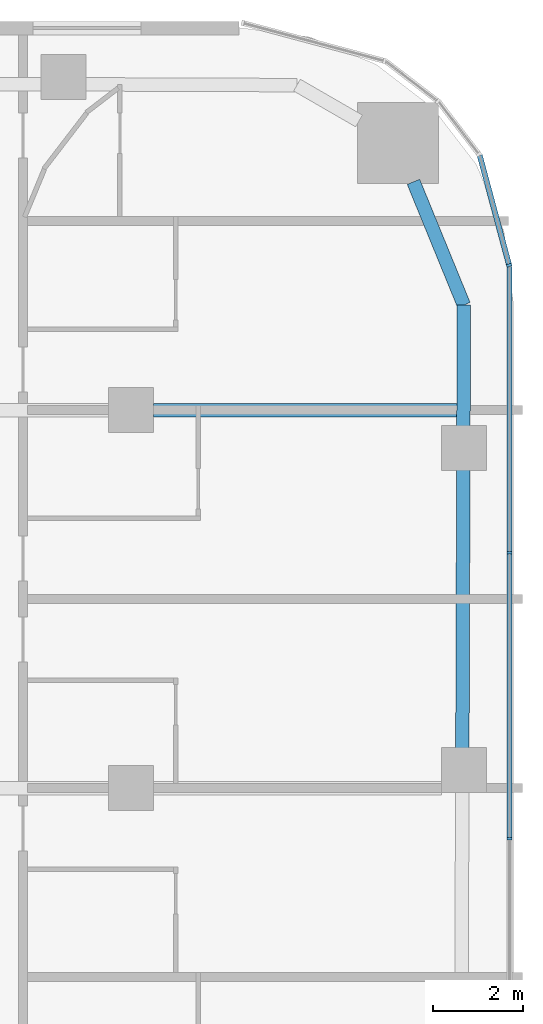
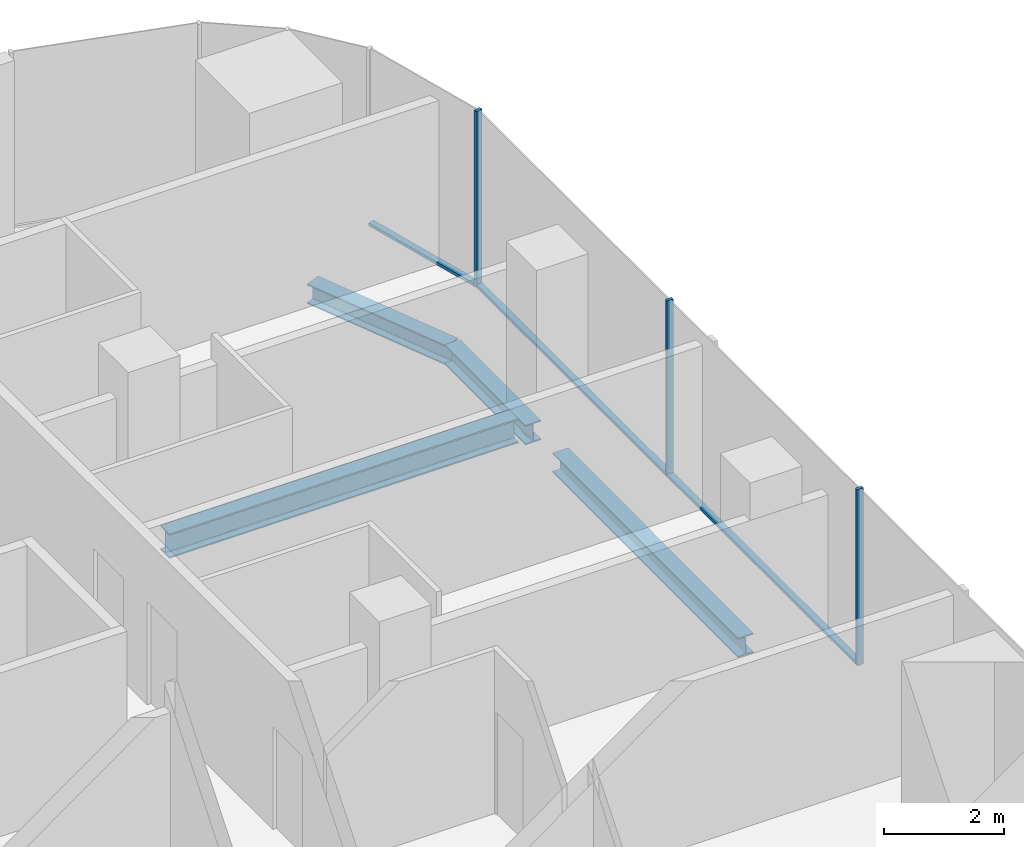
# One storey, part 12 of 25: 6 members, 4 beams, 2 elements without a shape of their own.
"""IFC4 building model written with IfcOpenShell, lengths in metres."""

from ifc_helpers import new_model, si_unit, direction, frame, origin, origin_2d, place, context, subcontext, project, spatial, rectangle, i_section, extrude, material, layer, layer_set, material_profile, profile_set, type_object, element, aggregate, save


model = new_model("IFC4")

# Units and contexts
model_context = context("Model", 3, precision=1e-05, world=origin(), true_north=direction((0.0, 1.0)))
body_context = subcontext(model_context, "Body", "Model", "MODEL_VIEW")
ifc_project = project(units=[si_unit("LENGTHUNIT", "METRE"), si_unit("AREAUNIT", "SQUARE_METRE"), si_unit("VOLUMEUNIT", "CUBIC_METRE"), si_unit("PLANEANGLEUNIT", "RADIAN"), si_unit("MASSUNIT", "GRAM", prefix="KILO")], contexts=[model_context])

# Site, building, storey
site_placement = place(None, origin())
site = spatial("IfcSite", under=ifc_project, at=site_placement, CompositionType="ELEMENT")
building_placement = place(site_placement, origin())
building = spatial("IfcBuilding", under=site, at=building_placement, Name="Marenta Gate Hotel Tower", CompositionType="ELEMENT")
storey_placement = place(building_placement, frame((0.0, 0.0, 50.89990234375)))
storey = spatial("IfcBuildingStorey", under=building, at=storey_placement, Name="L10", CompositionType="ELEMENT", Elevation=50.89990234375)

# Beams
ifc_material_1 = material(Name="Steel S355", Category="steel")
ifc_material_profile_1 = material_profile(ifc_material_1, i_section(OverallWidth=0.300048828125, OverallDepth=0.39990234375, WebThickness=0.013427734375, FlangeThickness=0.02392578125, FilletRadius=0.027099609375, at=origin_2d()), Name="HEB 400")
ifc_profile_set_1 = profile_set([ifc_material_profile_1], Name="Steel S355")
beam_type_1 = type_object("IfcBeamType", Name="Edge beam HEB 400", PredefinedType="SPANDREL", material=ifc_profile_set_1)
beam_1_placement = place(storey_placement, frame((27.280029296875, 30.2724609375, -0.4599609375), z_axis=(0.378565359962, -0.925574561144, 0.0), x_axis=(0.925574561144, 0.378565359962, 0.0)))
element("IfcBeam", 1, at=beam_1_placement, inside=storey, type_object=beam_type_1, Name="L10-EB-21", PredefinedType="SPANDREL", context=body_context, shape_type="SweptSolid", body=[
    extrude(i_section(OverallWidth=0.300048828125, OverallDepth=0.39990234375, WebThickness=0.013427734375, FlangeThickness=0.02392578125, FilletRadius=0.027099609375, at=origin_2d()), origin(), (0.0, 0.0, 1.0), 2.958251953125),
])
beam_2_placement = place(storey_placement, frame((28.39990234375, 27.534423828125, -0.4599609375), z_axis=(-0.003323434444, -0.999994477376, 0.0), x_axis=(0.999994477376, -0.003323434444, 0.0)))
element("IfcBeam", 2, at=beam_2_placement, inside=storey, type_object=beam_type_1, Name="L10-EB-22", PredefinedType="SPANDREL", context=body_context, shape_type="SweptSolid", body=[
    extrude(i_section(OverallWidth=0.300048828125, OverallDepth=0.39990234375, WebThickness=0.013427734375, FlangeThickness=0.02392578125, FilletRadius=0.027099609375, at=origin_2d()), origin(), (0.0, 0.0, 1.0), 2.718017578125),
])
beam_3_placement = place(storey_placement, frame((28.387939453125, 23.896484375, -0.4599609375), z_axis=(-0.003329137121, -0.999994458408, 0.0), x_axis=(0.999994458408, -0.003329137121, 0.0)))
element("IfcBeam", 3, at=beam_3_placement, inside=storey, type_object=beam_type_1, Name="L10-EB-23", PredefinedType="SPANDREL", context=body_context, shape_type="SweptSolid", body=[
    extrude(i_section(OverallWidth=0.300048828125, OverallDepth=0.39990234375, WebThickness=0.013427734375, FlangeThickness=0.02392578125, FilletRadius=0.027099609375, at=origin_2d()), origin(), (0.0, 0.0, 1.0), 6.2333984375),
])
ifc_material_2 = material(Name="Steel S355", Category="steel")
ifc_material_profile_2 = material_profile(ifc_material_2, i_section(OverallWidth=0.300048828125, OverallDepth=0.5, WebThickness=0.014404296875, FlangeThickness=0.028076171875, FilletRadius=0.027099609375, at=origin_2d()), Name="HEB 500")
ifc_profile_set_2 = profile_set([ifc_material_profile_2], Name="Steel S355")
beam_type_2 = type_object("IfcBeamType", Name="Girder HEB 500", PredefinedType="BEAM", material=ifc_profile_set_2)
beam_4_placement = place(storey_placement, frame((21.5, 25.199951171875, -0.510009765625), z_axis=(1.0, 0.0, 0.0), x_axis=(0.0, 1.0, 0.0)))
element("IfcBeam", 4, at=beam_4_placement, inside=storey, type_object=beam_type_2, Name="L10-GD-28", PredefinedType="BEAM", context=body_context, shape_type="SweptSolid", body=[
    extrude(i_section(OverallWidth=0.300048828125, OverallDepth=0.5, WebThickness=0.014404296875, FlangeThickness=0.028076171875, FilletRadius=0.027099609375, at=origin_2d()), origin(), (0.0, 0.0, 1.0), 6.7421875),
])

# Curtain wall, members
ifc_material_3 = material(Name="Tinted insulated glass in bronze anodised frame", Category="glass")
ifc_layer = layer(ifc_material_3, 0.1201171875)
ifc_layer_set = layer_set([ifc_layer], Name="Tinted insulated glass in bronze anodised frame")
curtain_wall_type = type_object("IfcCurtainWallType", Name="Tower unitised curtain wall CW1", PredefinedType="NOTDEFINED", material=ifc_layer_set)
curtain_wall_1_placement = place(storey_placement, origin())
curtain_wall_1 = element("IfcCurtainWall", 5, at=curtain_wall_1_placement, inside=storey, type_object=curtain_wall_type, Name="CW1 run G11", PredefinedType="NOTDEFINED")
ifc_material_4 = material(Name="Bronze anodised aluminium", Category="aluminium")
ifc_material_profile_3 = material_profile(ifc_material_4, rectangle(XDim=0.1201171875, YDim=0.06005859375, at=origin_2d()), Name="Mullion CW1 60x120 bronze anodised aluminium")
ifc_profile_set_3 = profile_set([ifc_material_profile_3], Name="Bronze anodised aluminium")
member_type_1 = type_object("IfcMemberType", Name="Mullion CW1 60x120 bronze anodised aluminium", PredefinedType="MULLION", material=ifc_profile_set_3)
member_1_placement = place(storey_placement, frame((29.4140625, 15.671875, 0.0), z_axis=(0.0, 0.0, 1.0), x_axis=(-1.0, 0.0, 0.0)))
member_1 = element("IfcMember", 6, at=member_1_placement, type_object=member_type_1, Name="CW1 mullion 5", PredefinedType="MULLION", context=body_context, shape_type="SweptSolid", body=[
    extrude(rectangle(XDim=0.1201171875, YDim=0.06005859375, at=origin_2d()), origin(), (0.0, 0.0, 1.0), 3.60009765625),
])
member_2_placement = place(storey_placement, frame((29.4140625, 22.031982421875, 0.0), z_axis=(0.0, 0.0, 1.0), x_axis=(-1.0, 0.0, 0.0)))
member_2 = element("IfcMember", 7, at=member_2_placement, type_object=member_type_1, Name="CW1 mullion 6", PredefinedType="MULLION", context=body_context, shape_type="SweptSolid", body=[
    extrude(rectangle(XDim=0.1201171875, YDim=0.06005859375, at=origin_2d()), origin(), (0.0, 0.0, 1.0), 3.60009765625),
])

# Curtain wall, member
curtain_wall_2_placement = place(storey_placement, origin())
curtain_wall_2 = element("IfcCurtainWall", 8, at=curtain_wall_2_placement, inside=storey, type_object=curtain_wall_type, Name="CW1 run G12", PredefinedType="NOTDEFINED")
member_3_placement = place(storey_placement, frame((29.40625, 28.4208984375, 0.0), z_axis=(0.0, 0.0, 1.0), x_axis=(-0.965925039579, -0.258821981125, 0.0)))
member_3 = element("IfcMember", 9, at=member_3_placement, type_object=member_type_1, Name="CW1 mullion 1", PredefinedType="MULLION", context=body_context, shape_type="SweptSolid", body=[
    extrude(rectangle(XDim=0.1201171875, YDim=0.06005859375, at=origin_2d()), origin(), (0.0, 0.0, 1.0), 3.60009765625),
])

# Member
ifc_material_5 = material(Name="Bronze anodised aluminium", Category="aluminium")
ifc_material_profile_4 = material_profile(ifc_material_5, rectangle(XDim=0.1201171875, YDim=0.06005859375, at=origin_2d()), Name="Transom CW1 60x120 bronze anodised aluminium")
ifc_profile_set_4 = profile_set([ifc_material_profile_4], Name="Bronze anodised aluminium")
member_type_2 = type_object("IfcMemberType", Name="Transom CW1 60x120 bronze anodised aluminium", PredefinedType="USERDEFINED", material=ifc_profile_set_4)
member_4_placement = place(storey_placement, frame((29.4140625, 15.701904296875, 0.030029296875), z_axis=(0.0, 1.0, 0.0), x_axis=(-1.0, 0.0, 0.0)))
member_4 = element("IfcMember", 10, at=member_4_placement, type_object=member_type_2, Name="CW1 transom 5.1", ObjectType="TRANSOM", PredefinedType="USERDEFINED", context=body_context, shape_type="SweptSolid", body=[
    extrude(rectangle(XDim=0.1201171875, YDim=0.06005859375, at=origin_2d()), origin(), (0.0, 0.0, 1.0), 6.300048828125),
])

member_5_placement = place(storey_placement, frame((29.4140625, 22.06201171875, 0.030029296875), z_axis=(0.0, 1.0, 0.0), x_axis=(-1.0, 0.0, 0.0)))
member_5 = element("IfcMember", 11, at=member_5_placement, type_object=member_type_2, Name="CW1 transom 6.1", ObjectType="TRANSOM", PredefinedType="USERDEFINED", context=body_context, shape_type="SweptSolid", body=[
    extrude(rectangle(XDim=0.1201171875, YDim=0.06005859375, at=origin_2d()), origin(), (0.0, 0.0, 1.0), 6.329833984375),
])

aggregate(curtain_wall_1, [member_1, member_2, member_4, member_5])

member_6_placement = place(storey_placement, frame((29.3984375, 28.449951171875, 0.030029296875), z_axis=(-0.258859731326, 0.96591492353, 0.0), x_axis=(-0.96591492353, -0.258859731326, 0.0)))
member_6 = element("IfcMember", 12, at=member_6_placement, type_object=member_type_2, Name="CW1 transom 1.1", ObjectType="TRANSOM", PredefinedType="USERDEFINED", context=body_context, shape_type="SweptSolid", body=[
    extrude(rectangle(XDim=0.1201171875, YDim=0.06005859375, at=origin_2d()), origin(), (0.0, 0.0, 1.0), 2.500244140625),
])

aggregate(curtain_wall_2, [member_3, member_6])

save(model, "model.ifc")
